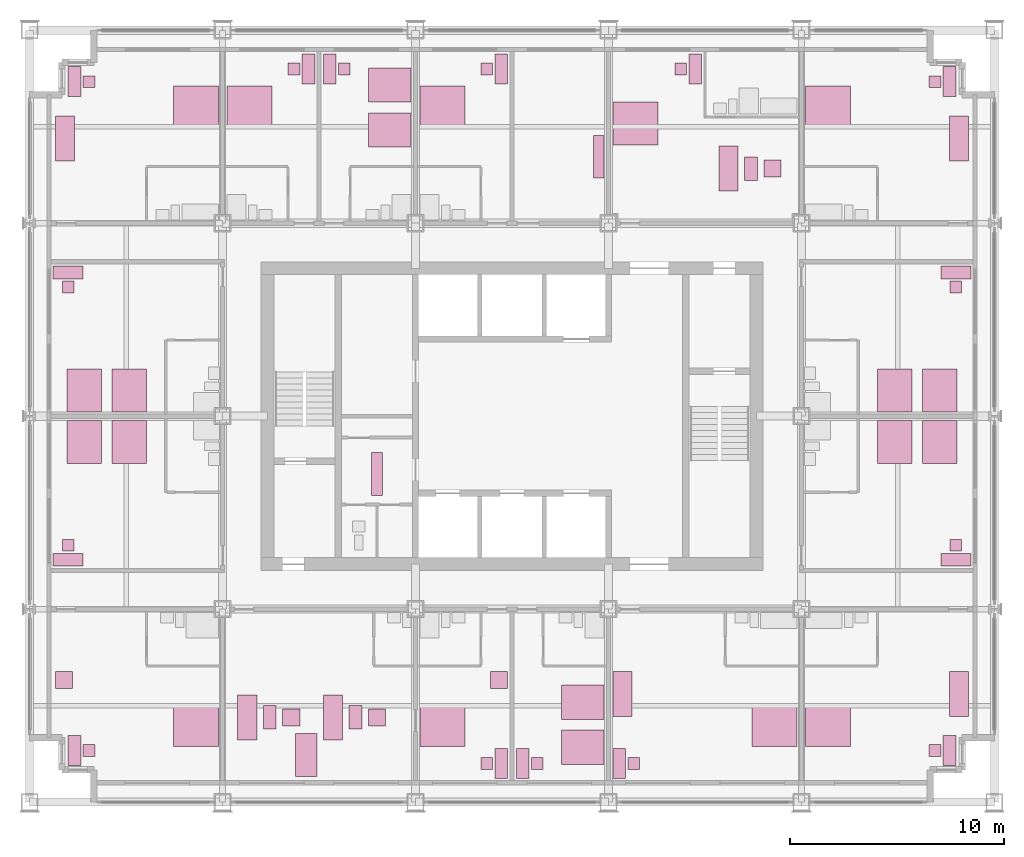
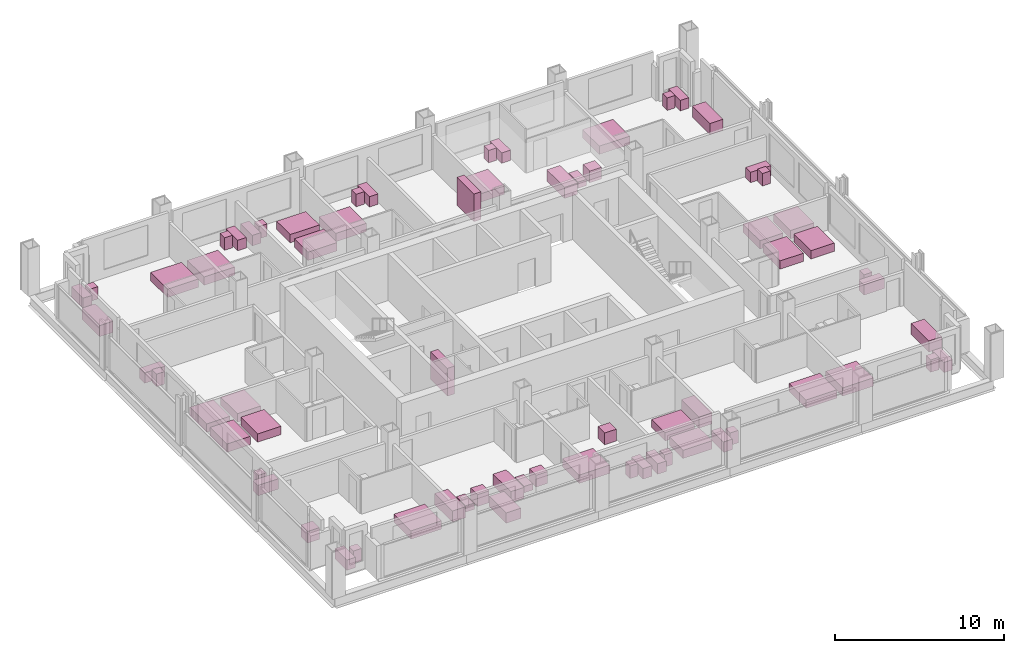
# One storey, part 16 of 16: 69 furniture elements.
"""IFC4 building model written with IfcOpenShell, lengths in metres."""

from ifc_helpers import new_model, si_unit, direction, frame, origin, origin_2d, place, context, subcontext, project, spatial, rectangle, extrude, element, save


model = new_model("IFC4")

# Units and contexts
model_context = context("Model", 3, precision=1e-05, world=origin(), true_north=direction((0.0, 1.0)))
body_context = subcontext(model_context, "Body", "Model", "MODEL_VIEW")
ifc_project = project(units=[si_unit("LENGTHUNIT", "METRE"), si_unit("AREAUNIT", "SQUARE_METRE"), si_unit("VOLUMEUNIT", "CUBIC_METRE"), si_unit("PLANEANGLEUNIT", "RADIAN"), si_unit("MASSUNIT", "GRAM", prefix="KILO")], contexts=[model_context])

# Site, building, storey
site_placement = place(None, origin())
site = spatial("IfcSite", under=ifc_project, at=site_placement, CompositionType="ELEMENT")
building_placement = place(site_placement, origin())
building = spatial("IfcBuilding", under=site, at=building_placement, Name="Loomwork Tower", CompositionType="ELEMENT")
storey_placement = place(building_placement, frame((0.0, 0.0, 131.60009765625)))
storey = spatial("IfcBuildingStorey", under=building, at=storey_placement, Name="L35", CompositionType="ELEMENT", Elevation=131.60009765625)

# Furniture
furniture_1_placement = place(storey_placement, frame((7.75, 3.60009765625, -0.000244140625), z_axis=(0.0, 0.0, 1.0), x_axis=(1.0, 0.0, 0.0)))
element("IfcFurniture", 1, at=furniture_1_placement, inside=storey, Name="King bed L35", PredefinedType="BED", context=body_context, shape_type="SweptSolid", body=[
    extrude(rectangle(XDim=2.10009765625, YDim=2.0, at=origin_2d()), origin(), (0.0, 0.0, 1.0), 0.60009765625),
])
furniture_2_placement = place(storey_placement, frame((2.10009765625, 2.39990234375, 0.0), z_axis=(0.0, 0.0, 1.0), x_axis=(1.0, 0.0, 0.0)))
element("IfcFurniture", 2, at=furniture_2_placement, inside=storey, Name="Writing desk L35", PredefinedType="DESK", context=body_context, shape_type="SweptSolid", body=[
    extrude(rectangle(XDim=0.60009765625, YDim=1.39990234375, at=origin_2d()), origin(), (0.0, 0.0, 1.0), 0.75),
])
furniture_3_placement = place(storey_placement, frame((2.77490234375, 2.39990234375, 0.0), z_axis=(0.0, 0.0, 1.0), x_axis=(1.0, 0.0, 0.0)))
element("IfcFurniture", 3, at=furniture_3_placement, inside=storey, Name="Desk chair L35", PredefinedType="CHAIR", context=body_context, shape_type="SweptSolid", body=[
    extrude(rectangle(XDim=0.550048828125, YDim=0.550048828125, at=origin_2d()), origin(), (0.0, 0.0, 1.0), 0.89990234375),
])
furniture_4_placement = place(storey_placement, frame((1.60009765625, 5.699951171875, -0.000244140625), z_axis=(0.0, 0.0, 1.0), x_axis=(1.0, 0.0, 0.0)))
element("IfcFurniture", 4, at=furniture_4_placement, inside=storey, Name="Lounge armchair L35", PredefinedType="CHAIR", context=body_context, shape_type="SweptSolid", body=[
    extrude(rectangle(XDim=0.800048828125, YDim=0.800048828125, at=origin_2d()), origin(), (0.0, 0.0, 1.0), 0.85009765625),
])
furniture_5_placement = place(storey_placement, frame((10.14990234375, 3.949951171875, 0.0), z_axis=(0.0, 0.0, 1.0), x_axis=(1.0, 0.0, 0.0)))
element("IfcFurniture", 5, at=furniture_5_placement, inside=storey, Name="Sofa L35", PredefinedType="SOFA", context=body_context, shape_type="SweptSolid", body=[
    extrude(rectangle(XDim=0.89990234375, YDim=2.10009765625, at=origin_2d()), origin(), (0.0, 0.0, 1.0), 0.800048828125),
])
furniture_6_placement = place(storey_placement, frame((11.199951171875, 3.949951171875, 0.0), z_axis=(0.0, 0.0, 1.0), x_axis=(1.0, 0.0, 0.0)))
element("IfcFurniture", 6, at=furniture_6_placement, inside=storey, Name="Coffee table L35", PredefinedType="TABLE", context=body_context, shape_type="SweptSolid", body=[
    extrude(rectangle(XDim=0.60009765625, YDim=1.10009765625, at=origin_2d()), origin(), (0.0, 0.0, 1.0), 0.449951171875),
])
furniture_7_placement = place(storey_placement, frame((12.199951171875, 3.949951171875, -0.000244140625), z_axis=(0.0, 0.0, 1.0), x_axis=(1.0, 0.0, 0.0)))
element("IfcFurniture", 7, at=furniture_7_placement, inside=storey, Name="Lounge armchair L35", PredefinedType="CHAIR", context=body_context, shape_type="SweptSolid", body=[
    extrude(rectangle(XDim=0.800048828125, YDim=0.800048828125, at=origin_2d()), origin(), (0.0, 0.0, 1.0), 0.85009765625),
])
furniture_8_placement = place(storey_placement, frame((14.14990234375, 3.949951171875, 0.0), z_axis=(0.0, 0.0, 1.0), x_axis=(1.0, 0.0, 0.0)))
element("IfcFurniture", 8, at=furniture_8_placement, inside=storey, Name="Sofa L35", PredefinedType="SOFA", context=body_context, shape_type="SweptSolid", body=[
    extrude(rectangle(XDim=0.89990234375, YDim=2.10009765625, at=origin_2d()), origin(), (0.0, 0.0, 1.0), 0.800048828125),
])
furniture_9_placement = place(storey_placement, frame((15.199951171875, 3.949951171875, 0.0), z_axis=(0.0, 0.0, 1.0), x_axis=(1.0, 0.0, 0.0)))
element("IfcFurniture", 9, at=furniture_9_placement, inside=storey, Name="Coffee table L35", PredefinedType="TABLE", context=body_context, shape_type="SweptSolid", body=[
    extrude(rectangle(XDim=0.60009765625, YDim=1.10009765625, at=origin_2d()), origin(), (0.0, 0.0, 1.0), 0.449951171875),
])
furniture_10_placement = place(storey_placement, frame((16.199951171875, 3.949951171875, -0.000244140625), z_axis=(0.0, 0.0, 1.0), x_axis=(1.0, 0.0, 0.0)))
element("IfcFurniture", 10, at=furniture_10_placement, inside=storey, Name="Lounge armchair L35", PredefinedType="CHAIR", context=body_context, shape_type="SweptSolid", body=[
    extrude(rectangle(XDim=0.800048828125, YDim=0.800048828125, at=origin_2d()), origin(), (0.0, 0.0, 1.0), 0.85009765625),
])
furniture_11_placement = place(storey_placement, frame((12.89990234375, 2.199951171875, 0.0), z_axis=(0.0, 0.0, 1.0), x_axis=(1.0, 0.0, 0.0)))
element("IfcFurniture", 11, at=furniture_11_placement, inside=storey, Name="Dining table L35", PredefinedType="TABLE", context=body_context, shape_type="SweptSolid", body=[
    extrude(rectangle(XDim=1.0, YDim=2.0, at=origin_2d()), origin(), (0.0, 0.0, 1.0), 0.75),
])
furniture_12_placement = place(storey_placement, frame((19.25, 3.60009765625, -0.000244140625), z_axis=(0.0, 0.0, 1.0), x_axis=(1.0, 0.0, 0.0)))
element("IfcFurniture", 12, at=furniture_12_placement, inside=storey, Name="King bed L35", PredefinedType="BED", context=body_context, shape_type="SweptSolid", body=[
    extrude(rectangle(XDim=2.10009765625, YDim=2.0, at=origin_2d()), origin(), (0.0, 0.0, 1.0), 0.60009765625),
])
furniture_13_placement = place(storey_placement, frame((22.0, 1.800048828125, 0.0), z_axis=(0.0, 0.0, 1.0), x_axis=(1.0, 0.0, 0.0)))
element("IfcFurniture", 13, at=furniture_13_placement, inside=storey, Name="Writing desk L35", PredefinedType="DESK", context=body_context, shape_type="SweptSolid", body=[
    extrude(rectangle(XDim=0.60009765625, YDim=1.39990234375, at=origin_2d()), origin(), (0.0, 0.0, 1.0), 0.75),
])
furniture_14_placement = place(storey_placement, frame((21.324951171875, 1.800048828125, 0.0), z_axis=(0.0, 0.0, 1.0), x_axis=(1.0, 0.0, 0.0)))
element("IfcFurniture", 14, at=furniture_14_placement, inside=storey, Name="Desk chair L35", PredefinedType="CHAIR", context=body_context, shape_type="SweptSolid", body=[
    extrude(rectangle(XDim=0.550048828125, YDim=0.550048828125, at=origin_2d()), origin(), (0.0, 0.0, 1.0), 0.89990234375),
])
furniture_15_placement = place(storey_placement, frame((21.89990234375, 5.699951171875, -0.000244140625), z_axis=(0.0, 0.0, 1.0), x_axis=(1.0, 0.0, 0.0)))
element("IfcFurniture", 15, at=furniture_15_placement, inside=storey, Name="Lounge armchair L35", PredefinedType="CHAIR", context=body_context, shape_type="SweptSolid", body=[
    extrude(rectangle(XDim=0.800048828125, YDim=0.800048828125, at=origin_2d()), origin(), (0.0, 0.0, 1.0), 0.85009765625),
])
for number, where, z_axis, x_axis, name in (
    (16, (25.800048828125, 4.64990234375, -0.000244140625), (0.0, 0.0, 1.0), (1.0, 0.0, 0.0), "Queen bed L35"),
    (17, (25.800048828125, 2.550048828125, -0.000244140625), (0.0, 0.0, 1.0), (1.0, 0.0, 0.0), "Queen bed L35"),
):
    element("IfcFurniture", number, at=place(storey_placement, frame(where, z_axis=z_axis, x_axis=x_axis)), inside=storey, Name=name, PredefinedType="BED", context=body_context, shape_type="SweptSolid", body=[
        extrude(rectangle(XDim=2.0, YDim=1.60009765625, at=origin_2d()), origin(), (0.0, 0.0, 1.0), 0.60009765625),
    ])
furniture_16_placement = place(storey_placement, frame((23.0, 1.800048828125, 0.0), z_axis=(0.0, 0.0, 1.0), x_axis=(1.0, 0.0, 0.0)))
element("IfcFurniture", 18, at=furniture_16_placement, inside=storey, Name="Writing desk L35", PredefinedType="DESK", context=body_context, shape_type="SweptSolid", body=[
    extrude(rectangle(XDim=0.60009765625, YDim=1.39990234375, at=origin_2d()), origin(), (0.0, 0.0, 1.0), 0.75),
])
furniture_17_placement = place(storey_placement, frame((23.675048828125, 1.800048828125, 0.0), z_axis=(0.0, 0.0, 1.0), x_axis=(1.0, 0.0, 0.0)))
element("IfcFurniture", 19, at=furniture_17_placement, inside=storey, Name="Desk chair L35", PredefinedType="CHAIR", context=body_context, shape_type="SweptSolid", body=[
    extrude(rectangle(XDim=0.550048828125, YDim=0.550048828125, at=origin_2d()), origin(), (0.0, 0.0, 1.0), 0.89990234375),
])
furniture_18_placement = place(storey_placement, frame((34.75, 3.60009765625, -0.000244140625), z_axis=(0.0, 0.0, 1.0), x_axis=(1.0, 0.0, 0.0)))
element("IfcFurniture", 20, at=furniture_18_placement, inside=storey, Name="King bed L35", PredefinedType="BED", context=body_context, shape_type="SweptSolid", body=[
    extrude(rectangle(XDim=2.10009765625, YDim=2.0, at=origin_2d()), origin(), (0.0, 0.0, 1.0), 0.60009765625),
])
furniture_19_placement = place(storey_placement, frame((27.5, 1.800048828125, 0.0), z_axis=(0.0, 0.0, 1.0), x_axis=(1.0, 0.0, 0.0)))
element("IfcFurniture", 21, at=furniture_19_placement, inside=storey, Name="Writing desk L35", PredefinedType="DESK", context=body_context, shape_type="SweptSolid", body=[
    extrude(rectangle(XDim=0.60009765625, YDim=1.39990234375, at=origin_2d()), origin(), (0.0, 0.0, 1.0), 0.75),
])
furniture_20_placement = place(storey_placement, frame((28.175048828125, 1.800048828125, 0.0), z_axis=(0.0, 0.0, 1.0), x_axis=(1.0, 0.0, 0.0)))
element("IfcFurniture", 22, at=furniture_20_placement, inside=storey, Name="Desk chair L35", PredefinedType="CHAIR", context=body_context, shape_type="SweptSolid", body=[
    extrude(rectangle(XDim=0.550048828125, YDim=0.550048828125, at=origin_2d()), origin(), (0.0, 0.0, 1.0), 0.89990234375),
])
furniture_21_placement = place(storey_placement, frame((27.64990234375, 5.050048828125, 0.0), z_axis=(0.0, 0.0, 1.0), x_axis=(1.0, 0.0, 0.0)))
element("IfcFurniture", 23, at=furniture_21_placement, inside=storey, Name="Sofa L35", PredefinedType="SOFA", context=body_context, shape_type="SweptSolid", body=[
    extrude(rectangle(XDim=0.89990234375, YDim=2.10009765625, at=origin_2d()), origin(), (0.0, 0.0, 1.0), 0.800048828125),
])
furniture_22_placement = place(storey_placement, frame((37.25, 3.60009765625, -0.000244140625), z_axis=(0.0, 0.0, 1.0), x_axis=(1.0, 0.0, 0.0)))
element("IfcFurniture", 24, at=furniture_22_placement, inside=storey, Name="King bed L35", PredefinedType="BED", context=body_context, shape_type="SweptSolid", body=[
    extrude(rectangle(XDim=2.10009765625, YDim=2.0, at=origin_2d()), origin(), (0.0, 0.0, 1.0), 0.60009765625),
])
furniture_23_placement = place(storey_placement, frame((42.89990234375, 2.39990234375, 0.0), z_axis=(0.0, 0.0, 1.0), x_axis=(1.0, 0.0, 0.0)))
element("IfcFurniture", 25, at=furniture_23_placement, inside=storey, Name="Writing desk L35", PredefinedType="DESK", context=body_context, shape_type="SweptSolid", body=[
    extrude(rectangle(XDim=0.60009765625, YDim=1.39990234375, at=origin_2d()), origin(), (0.0, 0.0, 1.0), 0.75),
])
furniture_24_placement = place(storey_placement, frame((42.22509765625, 2.39990234375, 0.0), z_axis=(0.0, 0.0, 1.0), x_axis=(1.0, 0.0, 0.0)))
element("IfcFurniture", 26, at=furniture_24_placement, inside=storey, Name="Desk chair L35", PredefinedType="CHAIR", context=body_context, shape_type="SweptSolid", body=[
    extrude(rectangle(XDim=0.550048828125, YDim=0.550048828125, at=origin_2d()), origin(), (0.0, 0.0, 1.0), 0.89990234375),
])
furniture_25_placement = place(storey_placement, frame((43.35009765625, 5.050048828125, 0.0), z_axis=(0.0, 0.0, 1.0), x_axis=(1.0, 0.0, 0.0)))
element("IfcFurniture", 27, at=furniture_25_placement, inside=storey, Name="Sofa L35", PredefinedType="SOFA", context=body_context, shape_type="SweptSolid", body=[
    extrude(rectangle(XDim=0.89990234375, YDim=2.10009765625, at=origin_2d()), origin(), (0.0, 0.0, 1.0), 0.800048828125),
])
furniture_26_placement = place(storey_placement, frame((7.75, 32.39990234375, -0.000244140625), z_axis=(0.0, 0.0, 1.0), x_axis=(1.0, 0.0, 0.0)))
element("IfcFurniture", 28, at=furniture_26_placement, inside=storey, Name="King bed L35", PredefinedType="BED", context=body_context, shape_type="SweptSolid", body=[
    extrude(rectangle(XDim=2.10009765625, YDim=2.0, at=origin_2d()), origin(), (0.0, 0.0, 1.0), 0.60009765625),
])
furniture_27_placement = place(storey_placement, frame((2.10009765625, 33.60009765625, 0.0), z_axis=(0.0, 0.0, 1.0), x_axis=(1.0, 0.0, 0.0)))
element("IfcFurniture", 29, at=furniture_27_placement, inside=storey, Name="Writing desk L35", PredefinedType="DESK", context=body_context, shape_type="SweptSolid", body=[
    extrude(rectangle(XDim=0.60009765625, YDim=1.39990234375, at=origin_2d()), origin(), (0.0, 0.0, 1.0), 0.75),
])
furniture_28_placement = place(storey_placement, frame((2.77490234375, 33.60009765625, 0.0), z_axis=(0.0, 0.0, 1.0), x_axis=(1.0, 0.0, 0.0)))
element("IfcFurniture", 30, at=furniture_28_placement, inside=storey, Name="Desk chair L35", PredefinedType="CHAIR", context=body_context, shape_type="SweptSolid", body=[
    extrude(rectangle(XDim=0.550048828125, YDim=0.550048828125, at=origin_2d()), origin(), (0.0, 0.0, 1.0), 0.89990234375),
])
furniture_29_placement = place(storey_placement, frame((1.64990234375, 30.949951171875, 0.0), z_axis=(0.0, 0.0, 1.0), x_axis=(1.0, 0.0, 0.0)))
element("IfcFurniture", 31, at=furniture_29_placement, inside=storey, Name="Sofa L35", PredefinedType="SOFA", context=body_context, shape_type="SweptSolid", body=[
    extrude(rectangle(XDim=0.89990234375, YDim=2.10009765625, at=origin_2d()), origin(), (0.0, 0.0, 1.0), 0.800048828125),
])
furniture_30_placement = place(storey_placement, frame((10.25, 32.39990234375, -0.000244140625), z_axis=(0.0, 0.0, 1.0), x_axis=(1.0, 0.0, 0.0)))
element("IfcFurniture", 32, at=furniture_30_placement, inside=storey, Name="King bed L35", PredefinedType="BED", context=body_context, shape_type="SweptSolid", body=[
    extrude(rectangle(XDim=2.10009765625, YDim=2.0, at=origin_2d()), origin(), (0.0, 0.0, 1.0), 0.60009765625),
])
furniture_31_placement = place(storey_placement, frame((13.0, 34.199951171875, 0.0), z_axis=(0.0, 0.0, 1.0), x_axis=(1.0, 0.0, 0.0)))
element("IfcFurniture", 33, at=furniture_31_placement, inside=storey, Name="Writing desk L35", PredefinedType="DESK", context=body_context, shape_type="SweptSolid", body=[
    extrude(rectangle(XDim=0.60009765625, YDim=1.39990234375, at=origin_2d()), origin(), (0.0, 0.0, 1.0), 0.75),
])
furniture_32_placement = place(storey_placement, frame((12.324951171875, 34.199951171875, 0.0), z_axis=(0.0, 0.0, 1.0), x_axis=(1.0, 0.0, 0.0)))
element("IfcFurniture", 34, at=furniture_32_placement, inside=storey, Name="Desk chair L35", PredefinedType="CHAIR", context=body_context, shape_type="SweptSolid", body=[
    extrude(rectangle(XDim=0.550048828125, YDim=0.550048828125, at=origin_2d()), origin(), (0.0, 0.0, 1.0), 0.89990234375),
])
for number, where, z_axis, x_axis, name in (
    (35, (16.800048828125, 31.35009765625, -0.000244140625), (0.0, 0.0, 1.0), (1.0, 0.0, 0.0), "Queen bed L35"),
    (36, (16.800048828125, 33.449951171875, -0.000244140625), (0.0, 0.0, 1.0), (1.0, 0.0, 0.0), "Queen bed L35"),
):
    element("IfcFurniture", number, at=place(storey_placement, frame(where, z_axis=z_axis, x_axis=x_axis)), inside=storey, Name=name, PredefinedType="BED", context=body_context, shape_type="SweptSolid", body=[
        extrude(rectangle(XDim=2.0, YDim=1.60009765625, at=origin_2d()), origin(), (0.0, 0.0, 1.0), 0.60009765625),
    ])
furniture_33_placement = place(storey_placement, frame((14.0, 34.199951171875, 0.0), z_axis=(0.0, 0.0, 1.0), x_axis=(1.0, 0.0, 0.0)))
element("IfcFurniture", 37, at=furniture_33_placement, inside=storey, Name="Writing desk L35", PredefinedType="DESK", context=body_context, shape_type="SweptSolid", body=[
    extrude(rectangle(XDim=0.60009765625, YDim=1.39990234375, at=origin_2d()), origin(), (0.0, 0.0, 1.0), 0.75),
])
furniture_34_placement = place(storey_placement, frame((14.675048828125, 34.199951171875, 0.0), z_axis=(0.0, 0.0, 1.0), x_axis=(1.0, 0.0, 0.0)))
element("IfcFurniture", 38, at=furniture_34_placement, inside=storey, Name="Desk chair L35", PredefinedType="CHAIR", context=body_context, shape_type="SweptSolid", body=[
    extrude(rectangle(XDim=0.550048828125, YDim=0.550048828125, at=origin_2d()), origin(), (0.0, 0.0, 1.0), 0.89990234375),
])
furniture_35_placement = place(storey_placement, frame((19.25, 32.39990234375, -0.000244140625), z_axis=(0.0, 0.0, 1.0), x_axis=(1.0, 0.0, 0.0)))
element("IfcFurniture", 39, at=furniture_35_placement, inside=storey, Name="King bed L35", PredefinedType="BED", context=body_context, shape_type="SweptSolid", body=[
    extrude(rectangle(XDim=2.10009765625, YDim=2.0, at=origin_2d()), origin(), (0.0, 0.0, 1.0), 0.60009765625),
])
furniture_36_placement = place(storey_placement, frame((22.0, 34.199951171875, 0.0), z_axis=(0.0, 0.0, 1.0), x_axis=(1.0, 0.0, 0.0)))
element("IfcFurniture", 40, at=furniture_36_placement, inside=storey, Name="Writing desk L35", PredefinedType="DESK", context=body_context, shape_type="SweptSolid", body=[
    extrude(rectangle(XDim=0.60009765625, YDim=1.39990234375, at=origin_2d()), origin(), (0.0, 0.0, 1.0), 0.75),
])
furniture_37_placement = place(storey_placement, frame((21.324951171875, 34.199951171875, 0.0), z_axis=(0.0, 0.0, 1.0), x_axis=(1.0, 0.0, 0.0)))
element("IfcFurniture", 41, at=furniture_37_placement, inside=storey, Name="Desk chair L35", PredefinedType="CHAIR", context=body_context, shape_type="SweptSolid", body=[
    extrude(rectangle(XDim=0.550048828125, YDim=0.550048828125, at=origin_2d()), origin(), (0.0, 0.0, 1.0), 0.89990234375),
])
furniture_38_placement = place(storey_placement, frame((26.550048828125, 30.10009765625, 0.0), z_axis=(0.0, 0.0, 1.0), x_axis=(1.0, 0.0, 0.0)))
element("IfcFurniture", 42, at=furniture_38_placement, inside=storey, Name="Linen shelving L35", PredefinedType="SHELF", context=body_context, shape_type="SweptSolid", body=[
    extrude(rectangle(XDim=0.5, YDim=2.0, at=origin_2d()), origin(), (0.0, 0.0, 1.0), 2.0),
])
furniture_39_placement = place(storey_placement, frame((28.25, 31.64990234375, -0.000244140625), z_axis=(0.0, 0.0, 1.0), x_axis=(1.0, 0.0, 0.0)))
element("IfcFurniture", 43, at=furniture_39_placement, inside=storey, Name="King bed L35", PredefinedType="BED", context=body_context, shape_type="SweptSolid", body=[
    extrude(rectangle(XDim=2.10009765625, YDim=2.0, at=origin_2d()), origin(), (0.0, 0.0, 1.0), 0.60009765625),
])
furniture_40_placement = place(storey_placement, frame((31.050048828125, 34.199951171875, 0.0), z_axis=(0.0, 0.0, 1.0), x_axis=(1.0, 0.0, 0.0)))
element("IfcFurniture", 44, at=furniture_40_placement, inside=storey, Name="Writing desk L35", PredefinedType="DESK", context=body_context, shape_type="SweptSolid", body=[
    extrude(rectangle(XDim=0.60009765625, YDim=1.39990234375, at=origin_2d()), origin(), (0.0, 0.0, 1.0), 0.75),
])
furniture_41_placement = place(storey_placement, frame((30.375, 34.199951171875, 0.0), z_axis=(0.0, 0.0, 1.0), x_axis=(1.0, 0.0, 0.0)))
element("IfcFurniture", 45, at=furniture_41_placement, inside=storey, Name="Desk chair L35", PredefinedType="CHAIR", context=body_context, shape_type="SweptSolid", body=[
    extrude(rectangle(XDim=0.550048828125, YDim=0.550048828125, at=origin_2d()), origin(), (0.0, 0.0, 1.0), 0.89990234375),
])
furniture_42_placement = place(storey_placement, frame((32.60009765625, 29.550048828125, 0.0), z_axis=(0.0, 0.0, 1.0), x_axis=(1.0, 0.0, 0.0)))
element("IfcFurniture", 46, at=furniture_42_placement, inside=storey, Name="Sofa L35", PredefinedType="SOFA", context=body_context, shape_type="SweptSolid", body=[
    extrude(rectangle(XDim=0.89990234375, YDim=2.10009765625, at=origin_2d()), origin(), (0.0, 0.0, 1.0), 0.800048828125),
])
furniture_43_placement = place(storey_placement, frame((33.64990234375, 29.550048828125, 0.0), z_axis=(0.0, 0.0, 1.0), x_axis=(1.0, 0.0, 0.0)))
element("IfcFurniture", 47, at=furniture_43_placement, inside=storey, Name="Coffee table L35", PredefinedType="TABLE", context=body_context, shape_type="SweptSolid", body=[
    extrude(rectangle(XDim=0.60009765625, YDim=1.10009765625, at=origin_2d()), origin(), (0.0, 0.0, 1.0), 0.449951171875),
])
furniture_44_placement = place(storey_placement, frame((34.64990234375, 29.550048828125, -0.000244140625), z_axis=(0.0, 0.0, 1.0), x_axis=(1.0, 0.0, 0.0)))
element("IfcFurniture", 48, at=furniture_44_placement, inside=storey, Name="Lounge armchair L35", PredefinedType="CHAIR", context=body_context, shape_type="SweptSolid", body=[
    extrude(rectangle(XDim=0.800048828125, YDim=0.800048828125, at=origin_2d()), origin(), (0.0, 0.0, 1.0), 0.85009765625),
])
furniture_45_placement = place(storey_placement, frame((37.25, 32.39990234375, -0.000244140625), z_axis=(0.0, 0.0, 1.0), x_axis=(1.0, 0.0, 0.0)))
element("IfcFurniture", 49, at=furniture_45_placement, inside=storey, Name="King bed L35", PredefinedType="BED", context=body_context, shape_type="SweptSolid", body=[
    extrude(rectangle(XDim=2.10009765625, YDim=2.0, at=origin_2d()), origin(), (0.0, 0.0, 1.0), 0.60009765625),
])
furniture_46_placement = place(storey_placement, frame((42.89990234375, 33.60009765625, 0.0), z_axis=(0.0, 0.0, 1.0), x_axis=(1.0, 0.0, 0.0)))
element("IfcFurniture", 50, at=furniture_46_placement, inside=storey, Name="Writing desk L35", PredefinedType="DESK", context=body_context, shape_type="SweptSolid", body=[
    extrude(rectangle(XDim=0.60009765625, YDim=1.39990234375, at=origin_2d()), origin(), (0.0, 0.0, 1.0), 0.75),
])
furniture_47_placement = place(storey_placement, frame((42.22509765625, 33.60009765625, 0.0), z_axis=(0.0, 0.0, 1.0), x_axis=(1.0, 0.0, 0.0)))
element("IfcFurniture", 51, at=furniture_47_placement, inside=storey, Name="Desk chair L35", PredefinedType="CHAIR", context=body_context, shape_type="SweptSolid", body=[
    extrude(rectangle(XDim=0.550048828125, YDim=0.550048828125, at=origin_2d()), origin(), (0.0, 0.0, 1.0), 0.89990234375),
])
furniture_48_placement = place(storey_placement, frame((43.35009765625, 30.949951171875, 0.0), z_axis=(0.0, 0.0, 1.0), x_axis=(1.0, 0.0, 0.0)))
element("IfcFurniture", 52, at=furniture_48_placement, inside=storey, Name="Sofa L35", PredefinedType="SOFA", context=body_context, shape_type="SweptSolid", body=[
    extrude(rectangle(XDim=0.89990234375, YDim=2.10009765625, at=origin_2d()), origin(), (0.0, 0.0, 1.0), 0.800048828125),
])
for number, where, z_axis, x_axis, name in (
    (53, (4.64990234375, 16.800048828125, -0.000244140625), (0.0, 0.0, 1.0), (1.0, 0.0, 0.0), "Queen bed L35"),
    (54, (2.550048828125, 16.800048828125, -0.000244140625), (0.0, 0.0, 1.0), (1.0, 0.0, 0.0), "Queen bed L35"),
):
    element("IfcFurniture", number, at=place(storey_placement, frame(where, z_axis=z_axis, x_axis=x_axis)), inside=storey, Name=name, PredefinedType="BED", context=body_context, shape_type="SweptSolid", body=[
        extrude(rectangle(XDim=1.60009765625, YDim=2.0, at=origin_2d()), origin(), (0.0, 0.0, 1.0), 0.60009765625),
    ])
furniture_49_placement = place(storey_placement, frame((1.800048828125, 11.300048828125, 0.0), z_axis=(0.0, 0.0, 1.0), x_axis=(1.0, 0.0, 0.0)))
element("IfcFurniture", 55, at=furniture_49_placement, inside=storey, Name="Writing desk L35", PredefinedType="DESK", context=body_context, shape_type="SweptSolid", body=[
    extrude(rectangle(XDim=1.39990234375, YDim=0.60009765625, at=origin_2d()), origin(), (0.0, 0.0, 1.0), 0.75),
])
furniture_50_placement = place(storey_placement, frame((1.800048828125, 11.97509765625, 0.0), z_axis=(0.0, 0.0, 1.0), x_axis=(1.0, 0.0, 0.0)))
element("IfcFurniture", 56, at=furniture_50_placement, inside=storey, Name="Desk chair L35", PredefinedType="CHAIR", context=body_context, shape_type="SweptSolid", body=[
    extrude(rectangle(XDim=0.550048828125, YDim=0.550048828125, at=origin_2d()), origin(), (0.0, 0.0, 1.0), 0.89990234375),
])
for number, where, z_axis, x_axis, name in (
    (57, (4.64990234375, 19.199951171875, -0.000244140625), (0.0, 0.0, 1.0), (1.0, 0.0, 0.0), "Queen bed L35"),
    (58, (2.550048828125, 19.199951171875, -0.000244140625), (0.0, 0.0, 1.0), (1.0, 0.0, 0.0), "Queen bed L35"),
):
    element("IfcFurniture", number, at=place(storey_placement, frame(where, z_axis=z_axis, x_axis=x_axis)), inside=storey, Name=name, PredefinedType="BED", context=body_context, shape_type="SweptSolid", body=[
        extrude(rectangle(XDim=1.60009765625, YDim=2.0, at=origin_2d()), origin(), (0.0, 0.0, 1.0), 0.60009765625),
    ])
furniture_51_placement = place(storey_placement, frame((1.800048828125, 24.699951171875, 0.0), z_axis=(0.0, 0.0, 1.0), x_axis=(1.0, 0.0, 0.0)))
element("IfcFurniture", 59, at=furniture_51_placement, inside=storey, Name="Writing desk L35", PredefinedType="DESK", context=body_context, shape_type="SweptSolid", body=[
    extrude(rectangle(XDim=1.39990234375, YDim=0.60009765625, at=origin_2d()), origin(), (0.0, 0.0, 1.0), 0.75),
])
furniture_52_placement = place(storey_placement, frame((1.800048828125, 24.02490234375, 0.0), z_axis=(0.0, 0.0, 1.0), x_axis=(1.0, 0.0, 0.0)))
element("IfcFurniture", 60, at=furniture_52_placement, inside=storey, Name="Desk chair L35", PredefinedType="CHAIR", context=body_context, shape_type="SweptSolid", body=[
    extrude(rectangle(XDim=0.550048828125, YDim=0.550048828125, at=origin_2d()), origin(), (0.0, 0.0, 1.0), 0.89990234375),
])
for number, where, z_axis, x_axis, name in (
    (61, (40.35009765625, 16.800048828125, -0.000244140625), (0.0, 0.0, 1.0), (1.0, 0.0, 0.0), "Queen bed L35"),
    (62, (42.449951171875, 16.800048828125, -0.000244140625), (0.0, 0.0, 1.0), (1.0, 0.0, 0.0), "Queen bed L35"),
):
    element("IfcFurniture", number, at=place(storey_placement, frame(where, z_axis=z_axis, x_axis=x_axis)), inside=storey, Name=name, PredefinedType="BED", context=body_context, shape_type="SweptSolid", body=[
        extrude(rectangle(XDim=1.60009765625, YDim=2.0, at=origin_2d()), origin(), (0.0, 0.0, 1.0), 0.60009765625),
    ])
furniture_53_placement = place(storey_placement, frame((43.199951171875, 11.300048828125, 0.0), z_axis=(0.0, 0.0, 1.0), x_axis=(1.0, 0.0, 0.0)))
element("IfcFurniture", 63, at=furniture_53_placement, inside=storey, Name="Writing desk L35", PredefinedType="DESK", context=body_context, shape_type="SweptSolid", body=[
    extrude(rectangle(XDim=1.39990234375, YDim=0.60009765625, at=origin_2d()), origin(), (0.0, 0.0, 1.0), 0.75),
])
furniture_54_placement = place(storey_placement, frame((43.199951171875, 11.97509765625, 0.0), z_axis=(0.0, 0.0, 1.0), x_axis=(1.0, 0.0, 0.0)))
element("IfcFurniture", 64, at=furniture_54_placement, inside=storey, Name="Desk chair L35", PredefinedType="CHAIR", context=body_context, shape_type="SweptSolid", body=[
    extrude(rectangle(XDim=0.550048828125, YDim=0.550048828125, at=origin_2d()), origin(), (0.0, 0.0, 1.0), 0.89990234375),
])
for number, where, z_axis, x_axis, name in (
    (65, (40.35009765625, 19.199951171875, -0.000244140625), (0.0, 0.0, 1.0), (1.0, 0.0, 0.0), "Queen bed L35"),
    (66, (42.449951171875, 19.199951171875, -0.000244140625), (0.0, 0.0, 1.0), (1.0, 0.0, 0.0), "Queen bed L35"),
):
    element("IfcFurniture", number, at=place(storey_placement, frame(where, z_axis=z_axis, x_axis=x_axis)), inside=storey, Name=name, PredefinedType="BED", context=body_context, shape_type="SweptSolid", body=[
        extrude(rectangle(XDim=1.60009765625, YDim=2.0, at=origin_2d()), origin(), (0.0, 0.0, 1.0), 0.60009765625),
    ])
furniture_55_placement = place(storey_placement, frame((43.199951171875, 24.699951171875, 0.0), z_axis=(0.0, 0.0, 1.0), x_axis=(1.0, 0.0, 0.0)))
element("IfcFurniture", 67, at=furniture_55_placement, inside=storey, Name="Writing desk L35", PredefinedType="DESK", context=body_context, shape_type="SweptSolid", body=[
    extrude(rectangle(XDim=1.39990234375, YDim=0.60009765625, at=origin_2d()), origin(), (0.0, 0.0, 1.0), 0.75),
])
furniture_56_placement = place(storey_placement, frame((43.199951171875, 24.02490234375, 0.0), z_axis=(0.0, 0.0, 1.0), x_axis=(1.0, 0.0, 0.0)))
element("IfcFurniture", 68, at=furniture_56_placement, inside=storey, Name="Desk chair L35", PredefinedType="CHAIR", context=body_context, shape_type="SweptSolid", body=[
    extrude(rectangle(XDim=0.550048828125, YDim=0.550048828125, at=origin_2d()), origin(), (0.0, 0.0, 1.0), 0.89990234375),
])
furniture_57_placement = place(storey_placement, frame((16.199951171875, 15.300048828125, 0.0), z_axis=(0.0, 0.0, 1.0), x_axis=(1.0, 0.0, 0.0)))
element("IfcFurniture", 69, at=furniture_57_placement, inside=storey, Name="Linen shelving L35", PredefinedType="SHELF", context=body_context, shape_type="SweptSolid", body=[
    extrude(rectangle(XDim=0.5, YDim=2.0, at=origin_2d()), origin(), (0.0, 0.0, 1.0), 2.0),
])

save(model, "model.ifc")
